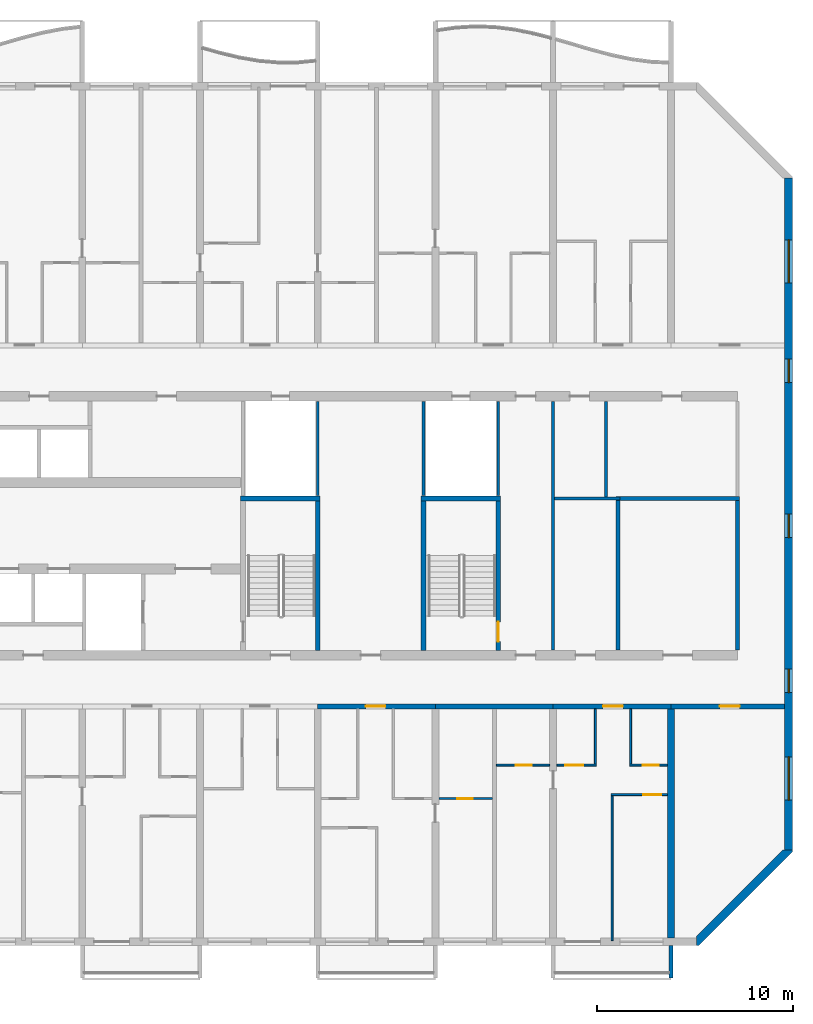
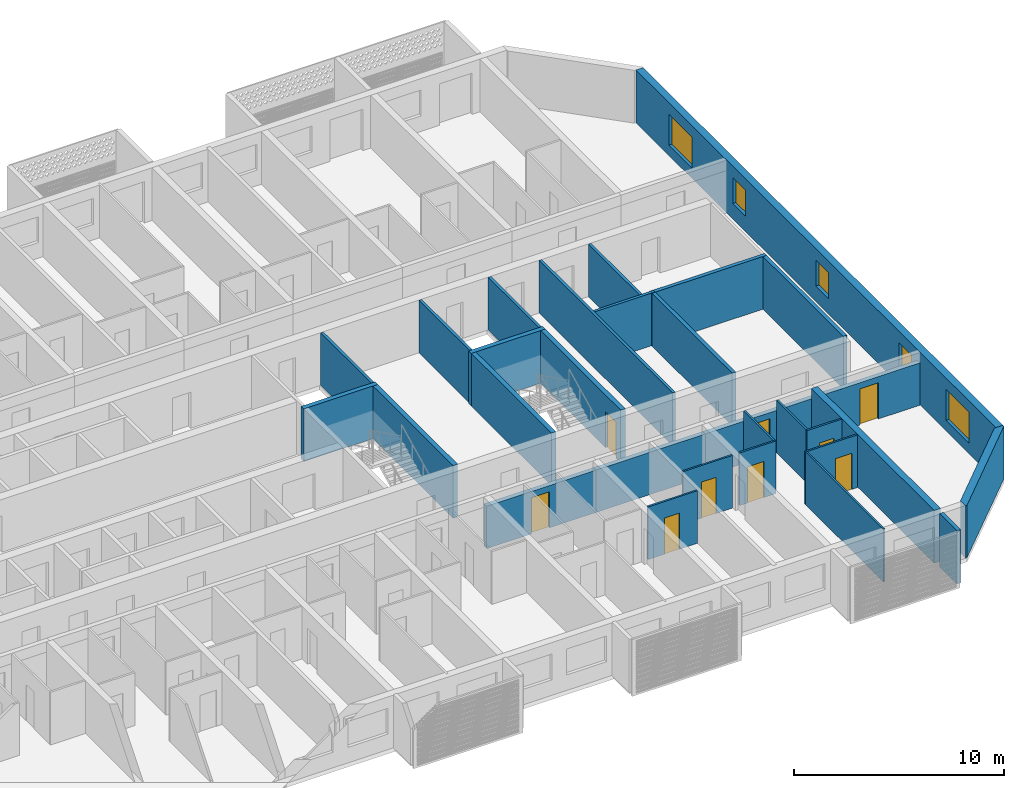
# One storey, part 14 of 27: 30 walls, 9 doors, 5 windows, 14 openings.
"""IFC4 building model written with IfcOpenShell, lengths in metres."""

from ifc_helpers import new_model, si_unit, direction, frame, frame_2d, origin, place, context, subcontext, project, spatial, polyline, rectangle, outline, extrude, source, transform, mapped, material, layer, layer_set, type_object, element, fill, save


model = new_model("IFC4")

# Units and contexts
model_context = context("Model", 3, precision=1e-05, world=origin(), true_north=direction((0.0, 1.0)))
body_context = subcontext(model_context, "Body", "Model", "MODEL_VIEW")
ifc_project = project(units=[si_unit("LENGTHUNIT", "METRE"), si_unit("AREAUNIT", "SQUARE_METRE"), si_unit("VOLUMEUNIT", "CUBIC_METRE"), si_unit("PLANEANGLEUNIT", "RADIAN"), si_unit("MASSUNIT", "GRAM", prefix="KILO")], contexts=[model_context])

# Site, building, storey
site_placement = place(None, origin())
site = spatial("IfcSite", under=ifc_project, at=site_placement, CompositionType="ELEMENT")
building_placement = place(site_placement, origin())
building = spatial("IfcBuilding", under=site, at=building_placement, Name="Poui Terraces", CompositionType="ELEMENT")
storey_placement = place(building_placement, frame((0.0, 0.0, 76.199951171875)))
storey = spatial("IfcBuildingStorey", under=building, at=storey_placement, Name="L20", CompositionType="ELEMENT", Elevation=76.199951171875)

# Wall
ifc_material_1 = material(Name="Fire-rated plasterboard wall")
ifc_layer_1 = layer(ifc_material_1, 0.14990234375)
ifc_layer_set_1 = layer_set([ifc_layer_1], Name="Fire-rated plasterboard wall")
wall_type_1 = type_object("IfcWallType", Name="CORRIDOR WALL 150", PredefinedType="PARTITIONING", material=ifc_layer_set_1)
wall_1_placement = place(storey_placement, frame((84.0, 14.860107421875, 0.0), z_axis=(0.0, 0.0, 1.0), x_axis=(0.0, 1.0, 0.0)))
element("IfcWall", 1, at=wall_1_placement, inside=storey, type_object=wall_type_1, Name="CORRIDOR WALL 150", PredefinedType="PARTITIONING", context=body_context, shape_type="SweptSolid", body=[
    extrude(rectangle(XDim=12.679931640625, YDim=0.14990234375, at=frame_2d((6.33984375, 0.0))), origin(), (0.0, 0.0, 1.0), 3.06005859375),
])

# Wall, opening, door
ifc_material_2 = material(Name="Concrete 65 MPa", Category="concrete")
ifc_layer_2 = layer(ifc_material_2, 0.25)
ifc_layer_set_2 = layer_set([ifc_layer_2], Name="Concrete 65 MPa")
wall_type_2 = type_object("IfcWallType", Name="CORRIDOR WALL 250 65MPa", PredefinedType="SHEAR", material=ifc_layer_set_2)
wall_2_placement = place(storey_placement, frame((72.0, 12.0, 0.0), z_axis=(0.0, 0.0, 1.0), x_axis=(1.0, 0.0, 0.0)))
wall_2 = element("IfcWall", 2, at=wall_2_placement, inside=storey, type_object=wall_type_2, Name="CORRIDOR WALL LINE B BAY 12", PredefinedType="SHEAR", context=body_context, shape_type="SweptSolid", body=[
    extrude(rectangle(XDim=6.0, YDim=0.25, at=frame_2d((3.0, 0.0))), origin(), (0.0, 0.0, 1.0), 2.4599609375),
])
opening_1_placement = place(wall_2_placement, frame((2.449951171875, 0.0, 0.0)))
opening_1 = element("IfcOpeningElement", 3, at=opening_1_placement, cuts=wall_2, Name="Opening FD30S", PredefinedType="OPENING", context=body_context, shape_type="SweptSolid", body=[
    extrude(rectangle(XDim=1.0, YDim=2.10009765625, at=frame_2d((0.5, 1.050048828125))), frame((0.0, 0.135009765625, 0.0), z_axis=(0.0, -1.0, 0.0), x_axis=(1.0, 0.0, 0.0)), (0.0, 0.0, 1.0), 0.27001953125),
])
ifc_material_3 = material(Name="Steel fire door", Category="steel")
door_type_1 = type_object("IfcDoorType", Name="FLAT ENTRANCE DOOR 1000 X 2100", OperationType="NOTDEFINED", PredefinedType="DOOR", material=ifc_material_3)
door_1_placement = place(opening_1_placement, frame((1.0, 0.0, 0.0), z_axis=(0.0, 0.0, 1.0), x_axis=(-1.0, 0.0, 0.0)))
door_1 = element("IfcDoor", 4, at=door_1_placement, inside=storey, type_object=door_type_1, Name="FLAT ENTRANCE DOOR 125", OperationType="SINGLE_SWING_RIGHT", OverallHeight=2.10009765625, OverallWidth=1.0, PredefinedType="DOOR", context=body_context, shape_type="SweptSolid", body=[
    extrude(rectangle(XDim=1.0, YDim=2.10009765625, at=frame_2d((0.5, 1.050048828125))), frame((0.0, 0.02490234375, 0.0), z_axis=(0.0, -1.0, 0.0), x_axis=(1.0, 0.0, 0.0)), (0.0, 0.0, 1.0), 0.050048828125),
])
fill(opening_1, door_1)

# Wall
wall_3_placement = place(storey_placement, frame((78.0, 12.0, 0.0), z_axis=(0.0, 0.0, 1.0), x_axis=(1.0, 0.0, 0.0)))
element("IfcWall", 5, at=wall_3_placement, inside=storey, type_object=wall_type_2, Name="CORRIDOR WALL LINE B BAY 13", PredefinedType="SHEAR", context=body_context, shape_type="SweptSolid", body=[
    extrude(rectangle(XDim=6.0, YDim=0.25, at=frame_2d((3.0, 0.0))), origin(), (0.0, 0.0, 1.0), 2.4599609375),
])

# Wall, opening, door
wall_4_placement = place(storey_placement, frame((84.0, 12.0, 0.0), z_axis=(0.0, 0.0, 1.0), x_axis=(1.0, 0.0, 0.0)))
wall_4 = element("IfcWall", 6, at=wall_4_placement, inside=storey, type_object=wall_type_2, Name="CORRIDOR WALL LINE B BAY 14", PredefinedType="SHEAR", context=body_context, shape_type="SweptSolid", body=[
    extrude(rectangle(XDim=6.0, YDim=0.25, at=frame_2d((3.0, 0.0))), origin(), (0.0, 0.0, 1.0), 2.4599609375),
])
opening_2_placement = place(wall_4_placement, frame((2.550048828125, 0.0, 0.0)))
opening_2 = element("IfcOpeningElement", 7, at=opening_2_placement, cuts=wall_4, Name="Opening FD30S", PredefinedType="OPENING", context=body_context, shape_type="SweptSolid", body=[
    extrude(rectangle(XDim=1.0, YDim=2.10009765625, at=frame_2d((0.5, 1.050048828125))), frame((0.0, 0.135009765625, 0.0), z_axis=(0.0, -1.0, 0.0), x_axis=(1.0, 0.0, 0.0)), (0.0, 0.0, 1.0), 0.27001953125),
])
door_2_placement = place(opening_2_placement, frame((1.0, 0.0, 0.0), z_axis=(0.0, 0.0, 1.0), x_axis=(-1.0, 0.0, 0.0)))
door_2 = element("IfcDoor", 8, at=door_2_placement, inside=storey, type_object=door_type_1, Name="FLAT ENTRANCE DOOR 131", OperationType="SINGLE_SWING_LEFT", OverallHeight=2.10009765625, OverallWidth=1.0, PredefinedType="DOOR", context=body_context, shape_type="SweptSolid", body=[
    extrude(rectangle(XDim=1.0, YDim=2.10009765625, at=frame_2d((0.5, 1.050048828125))), frame((0.0, 0.02490234375, 0.0), z_axis=(0.0, -1.0, 0.0), x_axis=(1.0, 0.0, 0.0)), (0.0, 0.0, 1.0), 0.050048828125),
])
fill(opening_2, door_2)

wall_5_placement = place(storey_placement, frame((90.0, 12.0, 0.0), z_axis=(0.0, 0.0, 1.0), x_axis=(1.0, 0.0, 0.0)))
wall_5 = element("IfcWall", 9, at=wall_5_placement, inside=storey, type_object=wall_type_2, Name="CORRIDOR WALL LINE B BAY 15", PredefinedType="SHEAR", context=body_context, shape_type="SweptSolid", body=[
    extrude(rectangle(XDim=5.800048828125, YDim=0.25, at=frame_2d((2.89990234375, 0.0))), origin(), (0.0, 0.0, 1.0), 2.4599609375),
])
opening_3_placement = place(wall_5_placement, frame((2.5, 0.0, 0.0)))
opening_3 = element("IfcOpeningElement", 10, at=opening_3_placement, cuts=wall_5, Name="Opening D100", PredefinedType="OPENING", context=body_context, shape_type="SweptSolid", body=[
    extrude(rectangle(XDim=1.0, YDim=2.10009765625, at=frame_2d((0.5, 1.050048828125))), frame((0.0, 0.135009765625, 0.0), z_axis=(0.0, -1.0, 0.0), x_axis=(1.0, 0.0, 0.0)), (0.0, 0.0, 1.0), 0.27001953125),
])
ifc_material_4 = material(Name="Solid core timber door", Category="wood")
door_type_2 = type_object("IfcDoorType", Name="ACCESSIBLE INTERNAL DOOR 1000 X 2100", OperationType="NOTDEFINED", PredefinedType="DOOR", material=ifc_material_4)
door_3_placement = place(opening_3_placement, frame((1.0, 0.0, 0.0), z_axis=(0.0, 0.0, 1.0), x_axis=(-1.0, 0.0, 0.0)))
door_3 = element("IfcDoor", 11, at=door_3_placement, inside=storey, type_object=door_type_2, Name="ACCESSIBLE INTERNAL DOOR 134", OperationType="SINGLE_SWING_RIGHT", OverallHeight=2.10009765625, OverallWidth=1.0, PredefinedType="DOOR", context=body_context, shape_type="SweptSolid", body=[
    extrude(rectangle(XDim=1.0, YDim=2.10009765625, at=frame_2d((0.5, 1.050048828125))), frame((0.0, 0.02490234375, 0.0), z_axis=(0.0, -1.0, 0.0), x_axis=(1.0, 0.0, 0.0)), (0.0, 0.0, 1.0), 0.050048828125),
])
fill(opening_3, door_3)

# Wall
ifc_layer_3 = layer(ifc_material_2, 0.35009765625)
ifc_layer_set_3 = layer_set([ifc_layer_3], Name="Concrete 65 MPa")
wall_type_3 = type_object("IfcWallType", Name="CROSS WALL 350 65MPa", PredefinedType="SHEAR", material=ifc_layer_set_3)
wall_6_placement = place(storey_placement, frame((90.0, 0.199951171875, 0.0), z_axis=(0.0, 0.0, 1.0), x_axis=(0.0, 1.0, 0.0)))
element("IfcWall", 12, at=wall_6_placement, inside=storey, type_object=wall_type_3, Name="CROSS WALL LINE 16 SOUTH", PredefinedType="SHEAR", context=body_context, shape_type="SweptSolid", body=[
    extrude(rectangle(XDim=11.675048828125, YDim=0.35009765625, at=frame_2d((5.83740234375, 0.0))), origin(), (0.0, 0.0, 1.0), 3.06005859375),
])

# Wall, openings, windows
ifc_layer_4 = layer(ifc_material_2, 0.39990234375)
ifc_layer_set_4 = layer_set([ifc_layer_4], Name="Concrete 65 MPa")
wall_type_4 = type_object("IfcWallType", Name="END WALL 400 65MPa", PredefinedType="SHEAR", material=ifc_layer_set_4)
wall_7_placement = place(storey_placement, frame((96.0, 4.682861328125, 0.0), z_axis=(0.0, 0.0, 1.0), x_axis=(0.0, 1.0, 0.0)))
wall_7 = element("IfcWall", 13, at=wall_7_placement, inside=storey, type_object=wall_type_4, Name="END WALL EAST", PredefinedType="SHEAR", context=body_context, shape_type="SweptSolid", body=[
    extrude(rectangle(XDim=34.234375, YDim=0.39990234375, at=frame_2d((17.1171875, 0.0))), origin(), (0.0, 0.0, 1.0), 3.06005859375),
])
opening_4_placement = place(wall_7_placement, frame((15.917236328125, 0.0, 0.89990234375)))
opening_4 = element("IfcOpeningElement", 14, at=opening_4_placement, cuts=wall_7, Name="Opening W2", PredefinedType="OPENING", context=body_context, shape_type="SweptSolid", body=[
    extrude(rectangle(XDim=1.199951171875, YDim=1.5, at=frame_2d((0.60009765625, 0.75))), frame((0.0, 0.2099609375, 0.0), z_axis=(0.0, -1.0, 0.0), x_axis=(1.0, 0.0, 0.0)), (0.0, 0.0, 1.0), 0.419921875),
])
opening_5_placement = place(wall_7_placement, frame((23.817138671875, 0.0, 0.89990234375)))
opening_5 = element("IfcOpeningElement", 15, at=opening_5_placement, cuts=wall_7, Name="Opening W2", PredefinedType="OPENING", context=body_context, shape_type="SweptSolid", body=[
    extrude(rectangle(XDim=1.199951171875, YDim=1.5, at=frame_2d((0.60009765625, 0.75))), frame((0.0, 0.2099609375, 0.0), z_axis=(0.0, -1.0, 0.0), x_axis=(1.0, 0.0, 0.0)), (0.0, 0.0, 1.0), 0.419921875),
])
opening_6_placement = place(wall_7_placement, frame((8.01708984375, 0.0, 0.89990234375)))
opening_6 = element("IfcOpeningElement", 16, at=opening_6_placement, cuts=wall_7, Name="Opening W2", PredefinedType="OPENING", context=body_context, shape_type="SweptSolid", body=[
    extrude(rectangle(XDim=1.199951171875, YDim=1.5, at=frame_2d((0.60009765625, 0.75))), frame((0.0, 0.2099609375, 0.0), z_axis=(0.0, -1.0, 0.0), x_axis=(1.0, 0.0, 0.0)), (0.0, 0.0, 1.0), 0.419921875),
])
opening_7_placement = place(wall_7_placement, frame((28.8935546875, 0.0, 0.60009765625)))
opening_7 = element("IfcOpeningElement", 17, at=opening_7_placement, cuts=wall_7, Name="Opening W3", PredefinedType="OPENING", context=body_context, shape_type="SweptSolid", body=[
    extrude(rectangle(XDim=2.199951171875, YDim=1.800048828125, at=frame_2d((1.10009765625, 0.89990234375))), frame((0.0, 0.2099609375, 0.0), z_axis=(0.0, -1.0, 0.0), x_axis=(1.0, 0.0, 0.0)), (0.0, 0.0, 1.0), 0.419921875),
])
opening_8_placement = place(wall_7_placement, frame((2.541015625, 0.0, 0.60009765625)))
opening_8 = element("IfcOpeningElement", 18, at=opening_8_placement, cuts=wall_7, Name="Opening W3", PredefinedType="OPENING", context=body_context, shape_type="SweptSolid", body=[
    extrude(rectangle(XDim=2.199951171875, YDim=1.800048828125, at=frame_2d((1.10009765625, 0.89990234375))), frame((0.0, 0.2099609375, 0.0), z_axis=(0.0, -1.0, 0.0), x_axis=(1.0, 0.0, 0.0)), (0.0, 0.0, 1.0), 0.419921875),
])
ifc_material_5 = material(Name="Clear glass in aluminium frame", Category="aluminium")
window_type_1 = type_object("IfcWindowType", Name="WINDOW 1200X1500", PartitioningType="SINGLE_PANEL", PredefinedType="WINDOW", material=ifc_material_5)
window_1_placement = place(opening_4_placement, origin())
window_1 = element("IfcWindow", 19, at=window_1_placement, inside=storey, type_object=window_type_1, Name="W2 WINDOW", OverallHeight=1.5, OverallWidth=1.199951171875, PartitioningType="SINGLE_PANEL", PredefinedType="WINDOW", context=body_context, shape_type="SweptSolid", body=[
    extrude(rectangle(XDim=1.199951171875, YDim=1.5, at=frame_2d((0.60009765625, 0.75))), frame((0.0, 0.030029296875, 0.0), z_axis=(0.0, -1.0, 0.0), x_axis=(1.0, 0.0, 0.0)), (0.0, 0.0, 1.0), 0.06005859375),
])
fill(opening_4, window_1)
window_2_placement = place(opening_5_placement, origin())
window_2 = element("IfcWindow", 20, at=window_2_placement, inside=storey, type_object=window_type_1, Name="W2 WINDOW", OverallHeight=1.5, OverallWidth=1.199951171875, PartitioningType="SINGLE_PANEL", PredefinedType="WINDOW", context=body_context, shape_type="SweptSolid", body=[
    extrude(rectangle(XDim=1.199951171875, YDim=1.5, at=frame_2d((0.60009765625, 0.75))), frame((0.0, 0.030029296875, 0.0), z_axis=(0.0, -1.0, 0.0), x_axis=(1.0, 0.0, 0.0)), (0.0, 0.0, 1.0), 0.06005859375),
])
fill(opening_5, window_2)
window_3_placement = place(opening_6_placement, origin())
window_3 = element("IfcWindow", 21, at=window_3_placement, inside=storey, type_object=window_type_1, Name="W2 WINDOW", OverallHeight=1.5, OverallWidth=1.199951171875, PartitioningType="SINGLE_PANEL", PredefinedType="WINDOW", context=body_context, shape_type="SweptSolid", body=[
    extrude(rectangle(XDim=1.199951171875, YDim=1.5, at=frame_2d((0.60009765625, 0.75))), frame((0.0, 0.030029296875, 0.0), z_axis=(0.0, -1.0, 0.0), x_axis=(1.0, 0.0, 0.0)), (0.0, 0.0, 1.0), 0.06005859375),
])
fill(opening_6, window_3)
window_type_2 = type_object("IfcWindowType", Name="WINDOW 2200X1800", PartitioningType="DOUBLE_PANEL_HORIZONTAL", PredefinedType="WINDOW", material=ifc_material_5)
window_4_placement = place(opening_7_placement, origin())
window_4 = element("IfcWindow", 22, at=window_4_placement, inside=storey, type_object=window_type_2, Name="W3 WINDOW", OverallHeight=1.800048828125, OverallWidth=2.199951171875, PartitioningType="DOUBLE_PANEL_HORIZONTAL", PredefinedType="WINDOW", context=body_context, shape_type="SweptSolid", body=[
    extrude(rectangle(XDim=2.199951171875, YDim=1.800048828125, at=frame_2d((1.10009765625, 0.89990234375))), frame((0.0, 0.030029296875, 0.0), z_axis=(0.0, -1.0, 0.0), x_axis=(1.0, 0.0, 0.0)), (0.0, 0.0, 1.0), 0.06005859375),
])
fill(opening_7, window_4)
window_5_placement = place(opening_8_placement, origin())
window_5 = element("IfcWindow", 23, at=window_5_placement, inside=storey, type_object=window_type_2, Name="W3 WINDOW", OverallHeight=1.800048828125, OverallWidth=2.199951171875, PartitioningType="DOUBLE_PANEL_HORIZONTAL", PredefinedType="WINDOW", context=body_context, shape_type="SweptSolid", body=[
    extrude(rectangle(XDim=2.199951171875, YDim=1.800048828125, at=frame_2d((1.10009765625, 0.89990234375))), frame((0.0, 0.030029296875, 0.0), z_axis=(0.0, -1.0, 0.0), x_axis=(1.0, 0.0, 0.0)), (0.0, 0.0, 1.0), 0.06005859375),
])
fill(opening_8, window_5)

# Wall, opening, door
ifc_material_6 = material(Name="Plasterboard partition")
ifc_layer_5 = layer(ifc_material_6, 0.10009765625)
ifc_layer_set_5 = layer_set([ifc_layer_5], Name="Plasterboard partition")
wall_type_5 = type_object("IfcWallType", Name="FLAT PARTITION 100", PredefinedType="PARTITIONING", material=ifc_layer_set_5)
wall_8_placement = place(storey_placement, frame((78.18505859375, 7.300048828125, 0.0), z_axis=(0.0, 0.0, 1.0), x_axis=(1.0, 0.0, 0.0)))
wall_8 = element("IfcWall", 24, at=wall_8_placement, inside=storey, type_object=wall_type_5, Name="FLAT PARTITION 100", PredefinedType="PARTITIONING", context=body_context, shape_type="SweptSolid", body=[
    extrude(rectangle(XDim=2.71484375, YDim=0.10009765625, at=frame_2d((1.357421875, 0.0))), origin(), (0.0, 0.0, 1.0), 3.06005859375),
])
opening_9_placement = place(wall_8_placement, frame((0.9150390625, 0.0, 0.0)))
opening_9 = element("IfcOpeningElement", 25, at=opening_9_placement, cuts=wall_8, Name="Opening D80", PredefinedType="OPENING", context=body_context, shape_type="SweptSolid", body=[
    extrude(rectangle(XDim=0.800048828125, YDim=2.10009765625, at=frame_2d((0.39990234375, 1.050048828125))), frame((0.0, 0.06005859375, 0.0), z_axis=(0.0, -1.0, 0.0), x_axis=(1.0, 0.0, 0.0)), (0.0, 0.0, 1.0), 0.1201171875),
])
door_type_3 = type_object("IfcDoorType", Name="BATHROOM, LAUNDRY AND STORE DOOR 800 X 2100", OperationType="NOTDEFINED", PredefinedType="DOOR", material=ifc_material_4)
door_4_placement = place(opening_9_placement, origin())
door_4 = element("IfcDoor", 26, at=door_4_placement, inside=storey, type_object=door_type_3, Name="BATHROOM, LAUNDRY AND STORE DOOR 122", OperationType="SINGLE_SWING_RIGHT", OverallHeight=2.10009765625, OverallWidth=0.800048828125, PredefinedType="DOOR", context=body_context, shape_type="SweptSolid", body=[
    extrude(rectangle(XDim=0.800048828125, YDim=2.10009765625, at=frame_2d((0.39990234375, 1.050048828125))), frame((0.0, 0.02490234375, 0.0), z_axis=(0.0, -1.0, 0.0), x_axis=(1.0, 0.0, 0.0)), (0.0, 0.0, 1.0), 0.050048828125),
])
fill(opening_9, door_4)

wall_9_placement = place(storey_placement, frame((86.949951171875, 7.5, 0.0), z_axis=(0.0, 0.0, 1.0), x_axis=(1.0, 0.0, 0.0)))
wall_9 = element("IfcWall", 27, at=wall_9_placement, inside=storey, type_object=wall_type_5, Name="FLAT PARTITION 100", PredefinedType="PARTITIONING", context=body_context, shape_type="SweptSolid", body=[
    extrude(rectangle(XDim=2.864990234375, YDim=0.10009765625, at=frame_2d((1.4326171875, 0.0))), origin(), (0.0, 0.0, 1.0), 3.06005859375),
])
opening_10_placement = place(wall_9_placement, frame((1.64990234375, 0.0, 0.0)))
opening_10 = element("IfcOpeningElement", 28, at=opening_10_placement, cuts=wall_9, Name="Opening D90", PredefinedType="OPENING", context=body_context, shape_type="SweptSolid", body=[
    extrude(rectangle(XDim=0.89990234375, YDim=2.10009765625, at=frame_2d((0.449951171875, 1.050048828125))), frame((0.0, 0.06005859375, 0.0), z_axis=(0.0, -1.0, 0.0), x_axis=(1.0, 0.0, 0.0)), (0.0, 0.0, 1.0), 0.1201171875),
])
door_type_4 = type_object("IfcDoorType", Name="INTERNAL DOOR 900 X 2100", OperationType="NOTDEFINED", PredefinedType="DOOR", material=ifc_material_4)
door_5_placement = place(opening_10_placement, origin())
door_5 = element("IfcDoor", 29, at=door_5_placement, inside=storey, type_object=door_type_4, Name="INTERNAL DOOR 133", OperationType="SINGLE_SWING_LEFT", OverallHeight=2.10009765625, OverallWidth=0.89990234375, PredefinedType="DOOR", context=body_context, shape_type="SweptSolid", body=[
    extrude(rectangle(XDim=0.89990234375, YDim=2.10009765625, at=frame_2d((0.449951171875, 1.050048828125))), frame((0.0, 0.02490234375, 0.0), z_axis=(0.0, -1.0, 0.0), x_axis=(1.0, 0.0, 0.0)), (0.0, 0.0, 1.0), 0.050048828125),
])
fill(opening_10, door_5)

wall_10_placement = place(storey_placement, frame((81.10009765625, 9.0, 0.0), z_axis=(0.0, 0.0, 1.0), x_axis=(1.0, 0.0, 0.0)))
wall_10 = element("IfcWall", 30, at=wall_10_placement, inside=storey, type_object=wall_type_5, Name="FLAT PARTITION 100", PredefinedType="PARTITIONING", context=body_context, shape_type="SweptSolid", body=[
    extrude(rectangle(XDim=2.71484375, YDim=0.10009765625, at=frame_2d((1.357421875, 0.0))), origin(), (0.0, 0.0, 1.0), 3.06005859375),
])
opening_11_placement = place(wall_10_placement, frame((1.0, 0.0, 0.0)))
opening_11 = element("IfcOpeningElement", 31, at=opening_11_placement, cuts=wall_10, Name="Opening D80", PredefinedType="OPENING", context=body_context, shape_type="SweptSolid", body=[
    extrude(rectangle(XDim=0.800048828125, YDim=2.10009765625, at=frame_2d((0.39990234375, 1.050048828125))), frame((0.0, 0.06005859375, 0.0), z_axis=(0.0, -1.0, 0.0), x_axis=(1.0, 0.0, 0.0)), (0.0, 0.0, 1.0), 0.1201171875),
])
door_6_placement = place(opening_11_placement, origin())
door_6 = element("IfcDoor", 32, at=door_6_placement, inside=storey, type_object=door_type_3, Name="BATHROOM, LAUNDRY AND STORE DOOR 128", OperationType="SINGLE_SWING_LEFT", OverallHeight=2.10009765625, OverallWidth=0.800048828125, PredefinedType="DOOR", context=body_context, shape_type="SweptSolid", body=[
    extrude(rectangle(XDim=0.800048828125, YDim=2.10009765625, at=frame_2d((0.39990234375, 1.050048828125))), frame((0.0, 0.02490234375, 0.0), z_axis=(0.0, -1.0, 0.0), x_axis=(1.0, 0.0, 0.0)), (0.0, 0.0, 1.0), 0.050048828125),
])
fill(opening_11, door_6)

wall_11_placement = place(storey_placement, frame((84.18505859375, 9.0, 0.0), z_axis=(0.0, 0.0, 1.0), x_axis=(1.0, 0.0, 0.0)))
wall_11 = element("IfcWall", 33, at=wall_11_placement, inside=storey, type_object=wall_type_5, Name="FLAT PARTITION 100", PredefinedType="PARTITIONING", context=body_context, shape_type="SweptSolid", body=[
    extrude(rectangle(XDim=2.014892578125, YDim=0.10009765625, at=frame_2d((1.00732421875, 0.0))), origin(), (0.0, 0.0, 1.0), 3.06005859375),
])
opening_12_placement = place(wall_11_placement, frame((0.43994140625, 0.0, 0.0)))
opening_12 = element("IfcOpeningElement", 34, at=opening_12_placement, cuts=wall_11, Name="Opening D90", PredefinedType="OPENING", context=body_context, shape_type="SweptSolid", body=[
    extrude(rectangle(XDim=0.89990234375, YDim=2.10009765625, at=frame_2d((0.449951171875, 1.050048828125))), frame((0.0, 0.06005859375, 0.0), z_axis=(0.0, -1.0, 0.0), x_axis=(1.0, 0.0, 0.0)), (0.0, 0.0, 1.0), 0.1201171875),
])
door_7_placement = place(opening_12_placement, origin())
door_7 = element("IfcDoor", 35, at=door_7_placement, inside=storey, type_object=door_type_4, Name="INTERNAL DOOR 130", OperationType="SINGLE_SWING_LEFT", OverallHeight=2.10009765625, OverallWidth=0.89990234375, PredefinedType="DOOR", context=body_context, shape_type="SweptSolid", body=[
    extrude(rectangle(XDim=0.89990234375, YDim=2.10009765625, at=frame_2d((0.449951171875, 1.050048828125))), frame((0.0, 0.02490234375, 0.0), z_axis=(0.0, -1.0, 0.0), x_axis=(1.0, 0.0, 0.0)), (0.0, 0.0, 1.0), 0.050048828125),
])
fill(opening_12, door_7)

wall_12_placement = place(storey_placement, frame((87.89990234375, 9.0, 0.0), z_axis=(0.0, 0.0, 1.0), x_axis=(1.0, 0.0, 0.0)))
wall_12 = element("IfcWall", 36, at=wall_12_placement, inside=storey, type_object=wall_type_5, Name="FLAT PARTITION 100", PredefinedType="PARTITIONING", context=body_context, shape_type="SweptSolid", body=[
    extrude(rectangle(XDim=1.9150390625, YDim=0.10009765625, at=frame_2d((0.95751953125, 0.0))), origin(), (0.0, 0.0, 1.0), 3.06005859375),
])
opening_13_placement = place(wall_12_placement, frame((0.675048828125, 0.0, 0.0)))
opening_13 = element("IfcOpeningElement", 37, at=opening_13_placement, cuts=wall_12, Name="Opening D80", PredefinedType="OPENING", context=body_context, shape_type="SweptSolid", body=[
    extrude(rectangle(XDim=0.800048828125, YDim=2.10009765625, at=frame_2d((0.39990234375, 1.050048828125))), frame((0.0, 0.06005859375, 0.0), z_axis=(0.0, -1.0, 0.0), x_axis=(1.0, 0.0, 0.0)), (0.0, 0.0, 1.0), 0.1201171875),
])
door_8_placement = place(opening_13_placement, origin())
door_8 = element("IfcDoor", 38, at=door_8_placement, inside=storey, type_object=door_type_3, Name="BATHROOM, LAUNDRY AND STORE DOOR 132", OperationType="SINGLE_SWING_RIGHT", OverallHeight=2.10009765625, OverallWidth=0.800048828125, PredefinedType="DOOR", context=body_context, shape_type="SweptSolid", body=[
    extrude(rectangle(XDim=0.800048828125, YDim=2.10009765625, at=frame_2d((0.39990234375, 1.050048828125))), frame((0.0, 0.02490234375, 0.0), z_axis=(0.0, -1.0, 0.0), x_axis=(1.0, 0.0, 0.0)), (0.0, 0.0, 1.0), 0.050048828125),
])
fill(opening_13, door_8)

# Walls
wall_13_placement = place(storey_placement, frame((86.14990234375, 9.050048828125, 0.0), z_axis=(0.0, 0.0, 1.0), x_axis=(0.0, 1.0, 0.0)))
element("IfcWall", 39, at=wall_13_placement, inside=storey, type_object=wall_type_5, Name="FLAT PARTITION 100", PredefinedType="PARTITIONING", context=body_context, shape_type="SweptSolid", body=[
    extrude(rectangle(XDim=2.81494140625, YDim=0.10009765625, at=frame_2d((1.407470703125, 0.0))), origin(), (0.0, 0.0, 1.0), 3.06005859375),
])
wall_14_placement = place(storey_placement, frame((87.0, 0.06005859375, 0.0), z_axis=(0.0, 0.0, 1.0), x_axis=(0.0, 1.0, 0.0)))
element("IfcWall", 40, at=wall_14_placement, inside=storey, type_object=wall_type_5, Name="FLAT PARTITION 100", PredefinedType="PARTITIONING", context=body_context, shape_type="SweptSolid", body=[
    extrude(rectangle(XDim=7.389892578125, YDim=0.10009765625, at=frame_2d((3.69482421875, 0.0))), origin(), (0.0, 0.0, 1.0), 3.06005859375),
])
wall_15_placement = place(storey_placement, frame((87.949951171875, 9.050048828125, 0.0), z_axis=(0.0, 0.0, 1.0), x_axis=(0.0, 1.0, 0.0)))
element("IfcWall", 41, at=wall_15_placement, inside=storey, type_object=wall_type_5, Name="FLAT PARTITION 100", PredefinedType="PARTITIONING", context=body_context, shape_type="SweptSolid", body=[
    extrude(rectangle(XDim=2.81494140625, YDim=0.10009765625, at=frame_2d((1.407470703125, 0.0))), origin(), (0.0, 0.0, 1.0), 3.06005859375),
])
ifc_layer_6 = layer(ifc_material_6, 0.14990234375)
ifc_layer_set_6 = layer_set([ifc_layer_6], Name="Plasterboard partition")
wall_type_6 = type_object("IfcWallType", Name="PARTITION WALL 150", PredefinedType="PARTITIONING", material=ifc_layer_set_6)
wall_16_placement = place(storey_placement, frame((84.074951171875, 22.60009765625, 0.0), z_axis=(0.0, 0.0, 1.0), x_axis=(1.0, 0.0, 0.0)))
element("IfcWall", 42, at=wall_16_placement, inside=storey, type_object=wall_type_6, Name="PARTITION WALL 150", PredefinedType="PARTITIONING", context=body_context, shape_type="SweptSolid", body=[
    extrude(rectangle(XDim=3.324951171875, YDim=0.14990234375, at=frame_2d((1.66259765625, 0.0))), origin(), (0.0, 0.0, 1.0), 3.06005859375),
])
wall_17_placement = place(storey_placement, frame((86.699951171875, 22.675048828125, 0.0), z_axis=(0.0, 0.0, 1.0), x_axis=(0.0, 1.0, 0.0)))
element("IfcWall", 43, at=wall_17_placement, inside=storey, type_object=wall_type_6, Name="PARTITION WALL 150", PredefinedType="PARTITIONING", context=body_context, shape_type="SweptSolid", body=[
    extrude(rectangle(XDim=4.864990234375, YDim=0.14990234375, at=frame_2d((2.4326171875, 0.0))), origin(), (0.0, 0.0, 1.0), 3.06005859375),
])
ifc_material_7 = material(Name="Fire-rated masonry wall", Category="masonry")
ifc_layer_7 = layer(ifc_material_7, 0.199951171875)
ifc_layer_set_7 = layer_set([ifc_layer_7], Name="Fire-rated masonry wall")
wall_type_7 = type_object("IfcWallType", Name="PLANT ROOM WALL 200", PredefinedType="PARTITIONING", material=ifc_layer_set_7)
wall_18_placement = place(storey_placement, frame((87.199951171875, 22.60009765625, 0.0), z_axis=(0.0, 0.0, 1.0), x_axis=(1.0, 0.0, 0.0)))
element("IfcWall", 44, at=wall_18_placement, inside=storey, type_object=wall_type_7, Name="PLANT ROOM WALL 200", PredefinedType="PARTITIONING", context=body_context, shape_type="SweptSolid", body=[
    extrude(rectangle(XDim=6.300048828125, YDim=0.199951171875, at=frame_2d((3.14990234375, 0.0))), origin(), (0.0, 0.0, 1.0), 3.06005859375),
])
for number, where, z_axis, x_axis, name in (
    (45, (87.300048828125, 14.860107421875, 0.0), (0.0, 0.0, 1.0), (0.0, 1.0, 0.0), "PLANT ROOM WALL 200"),
    (46, (93.39990234375, 14.860107421875, 0.0), (0.0, 0.0, 1.0), (0.0, 1.0, 0.0), "PLANT ROOM WALL 200"),
):
    element("IfcWall", number, at=place(storey_placement, frame(where, z_axis=z_axis, x_axis=x_axis)), inside=storey, type_object=wall_type_7, Name=name, PredefinedType="PARTITIONING", context=body_context, shape_type="SweptSolid", body=[
        extrude(rectangle(XDim=7.639892578125, YDim=0.199951171875, at=frame_2d((3.81982421875, 0.0))), origin(), (0.0, 0.0, 1.0), 3.06005859375),
    ])
ifc_material_8 = material(Name="Fire-rated plasterboard riser wall")
ifc_layer_8 = layer(ifc_material_8, 0.14990234375)
ifc_layer_set_8 = layer_set([ifc_layer_8], Name="Fire-rated plasterboard riser wall")
wall_type_8 = type_object("IfcWallType", Name="RISER WALL 150", PredefinedType="PARTITIONING", material=ifc_layer_set_8)
for number, where, z_axis, x_axis, name in (
    (47, (72.0, 22.735107421875, 0.0), (0.0, 0.0, 1.0), (0.0, 1.0, 0.0), "RISER WALL 150"),
    (48, (77.39990234375, 22.735107421875, 0.0), (0.0, 0.0, 1.0), (0.0, 1.0, 0.0), "RISER WALL 150"),
    (49, (81.199951171875, 22.735107421875, 0.0), (0.0, 0.0, 1.0), (0.0, 1.0, 0.0), "RISER WALL 150"),
):
    element("IfcWall", number, at=place(storey_placement, frame(where, z_axis=z_axis, x_axis=x_axis)), inside=storey, type_object=wall_type_8, Name=name, PredefinedType="PARTITIONING", context=body_context, shape_type="SweptSolid", body=[
        extrude(rectangle(XDim=4.804931640625, YDim=0.14990234375, at=frame_2d((2.40234375, 0.0))), origin(), (0.0, 0.0, 1.0), 3.06005859375),
    ])
ifc_layer_9 = layer(ifc_material_2, 0.25)
ifc_layer_set_9 = layer_set([ifc_layer_9], Name="Concrete 65 MPa")
wall_type_9 = type_object("IfcWallType", Name="STAIR CORE WALL 250 65 MPA", PredefinedType="SOLIDWALL", material=ifc_layer_set_9)
wall_19_placement = place(storey_placement, frame((72.0, 14.85009765625, 0.0), z_axis=(0.0, 0.0, 1.0), x_axis=(0.0, 1.0, 0.0)))
element("IfcWall", 50, at=wall_19_placement, inside=storey, type_object=wall_type_9, Name="STAIR CORE WALL", PredefinedType="SOLIDWALL", context=body_context, shape_type="SweptSolid", body=[
    extrude(rectangle(XDim=7.625, YDim=0.25, at=frame_2d((3.8125, 0.0))), origin(), (0.0, 0.0, 1.0), 3.06005859375),
])
wall_20_placement = place(storey_placement, frame((68.074951171875, 22.60009765625, 0.0), z_axis=(0.0, 0.0, 1.0), x_axis=(1.0, 0.0, 0.0)))
element("IfcWall", 51, at=wall_20_placement, inside=storey, type_object=wall_type_9, Name="STAIR CORE WALL", PredefinedType="SOLIDWALL", context=body_context, shape_type="SweptSolid", body=[
    extrude(rectangle(XDim=4.050048828125, YDim=0.25, at=frame_2d((2.02490234375, 0.0))), origin(), (0.0, 0.0, 1.0), 3.06005859375),
])
wall_21_placement = place(storey_placement, frame((77.39990234375, 14.85009765625, 0.0), z_axis=(0.0, 0.0, 1.0), x_axis=(0.0, 1.0, 0.0)))
element("IfcWall", 52, at=wall_21_placement, inside=storey, type_object=wall_type_9, Name="STAIR CORE WALL", PredefinedType="SOLIDWALL", context=body_context, shape_type="SweptSolid", body=[
    extrude(rectangle(XDim=7.625, YDim=0.25, at=frame_2d((3.8125, 0.0))), origin(), (0.0, 0.0, 1.0), 3.06005859375),
])

# Wall, opening, door
wall_22_placement = place(storey_placement, frame((81.199951171875, 14.85009765625, 0.0), z_axis=(0.0, 0.0, 1.0), x_axis=(0.0, 1.0, 0.0)))
wall_22 = element("IfcWall", 53, at=wall_22_placement, inside=storey, type_object=wall_type_9, Name="STAIR CORE WALL", PredefinedType="SOLIDWALL", context=body_context, shape_type="SweptSolid", body=[
    extrude(rectangle(XDim=7.625, YDim=0.25, at=frame_2d((3.8125, 0.0))), origin(), (0.0, 0.0, 1.0), 3.06005859375),
])
opening_14_placement = place(wall_22_placement, frame((0.449951171875, 0.0, 0.0)))
opening_14 = element("IfcOpeningElement", 54, at=opening_14_placement, cuts=wall_22, Name="Opening FD60S", PredefinedType="OPENING", context=body_context, shape_type="SweptSolid", body=[
    extrude(rectangle(XDim=1.0, YDim=2.10009765625, at=frame_2d((0.5, 1.050048828125))), frame((0.0, 0.135009765625, 0.0), z_axis=(0.0, -1.0, 0.0), x_axis=(1.0, 0.0, 0.0)), (0.0, 0.0, 1.0), 0.27001953125),
])
door_type_5 = type_object("IfcDoorType", Name="STAIR DOOR 1000 X 2100", OperationType="NOTDEFINED", PredefinedType="DOOR", material=ifc_material_3)
door_9_placement = place(opening_14_placement, origin())
door_9 = element("IfcDoor", 55, at=door_9_placement, inside=storey, type_object=door_type_5, Name="STAIR DOOR 150", OperationType="SINGLE_SWING_LEFT", OverallHeight=2.10009765625, OverallWidth=1.0, PredefinedType="DOOR", context=body_context, shape_type="SweptSolid", body=[
    extrude(rectangle(XDim=1.0, YDim=2.10009765625, at=frame_2d((0.5, 1.050048828125))), frame((0.0, 0.02490234375, 0.0), z_axis=(0.0, -1.0, 0.0), x_axis=(1.0, 0.0, 0.0)), (0.0, 0.0, 1.0), 0.050048828125),
])
fill(opening_14, door_9)

# Walls
wall_23_placement = place(storey_placement, frame((77.27490234375, 22.60009765625, 0.0), z_axis=(0.0, 0.0, 1.0), x_axis=(1.0, 0.0, 0.0)))
element("IfcWall", 56, at=wall_23_placement, inside=storey, type_object=wall_type_9, Name="STAIR CORE WALL", PredefinedType="SOLIDWALL", context=body_context, shape_type="SweptSolid", body=[
    extrude(rectangle(XDim=4.050048828125, YDim=0.25, at=frame_2d((2.02490234375, 0.0))), origin(), (0.0, 0.0, 1.0), 3.06005859375),
])
ifc_material_9 = material(Name="Precast concrete 40 MPa", Category="concrete")
ifc_layer_10 = layer(ifc_material_9, 0.39990234375)
ifc_layer_set_10 = layer_set([ifc_layer_10], Name="Precast concrete 40 MPa")
wall_type_10 = type_object("IfcWallType", Name="TERRACOTTA CLAD CHAMFER WALL 400", PredefinedType="STANDARD", material=ifc_layer_set_10)
wall_24_placement = place(storey_placement, origin())
element("IfcWall", 57, at=wall_24_placement, inside=storey, type_object=wall_type_10, Name="CHAMFER WALL CH01", PredefinedType="STANDARD", context=body_context, shape_type="SweptSolid", body=[
    extrude(outline(polyline([(91.317138671875, -0.199951171875), (91.39990234375, -0.199951171875), (96.199951171875, 4.60009765625), (96.199951171875, 4.682861328125), (95.71728515625, 4.682861328125), (91.317138671875, 0.28271484375), (91.317138671875, -0.199951171875)])), origin(), (0.0, 0.0, 1.0), 3.06005859375),
])
ifc_layer_11 = layer(ifc_material_9, 0.199951171875)
ifc_layer_set_11 = layer_set([ifc_layer_11], Name="Precast concrete 40 MPa")
wall_type_11 = type_object("IfcWallType", Name="REAR FIN 200", PredefinedType="STANDARD", material=ifc_layer_set_11)
shared_shape = source(origin(), body_context, "Body", "SweptSolid", [
    extrude(outline(polyline([(0.0, 0.0), (0.2001953125, 0.0), (0.2001953125, 1.650146484375), (0.0, 1.650146484375), (0.0, 0.0)])), origin(), (0.0, 0.0, 1.0), 3.10009765625),
])
wall_25_placement = place(storey_placement, frame((89.89990234375, -1.85009765625, 0.0)))
element("IfcWall", 58, at=wall_25_placement, inside=storey, type_object=wall_type_11, Name="REAR FIN", PredefinedType="STANDARD", context=body_context, shape_type="MappedRepresentation", body=[
    mapped(shared_shape, transform((0.0, 0.0, 0.0))),
])

save(model, "model.ifc")
